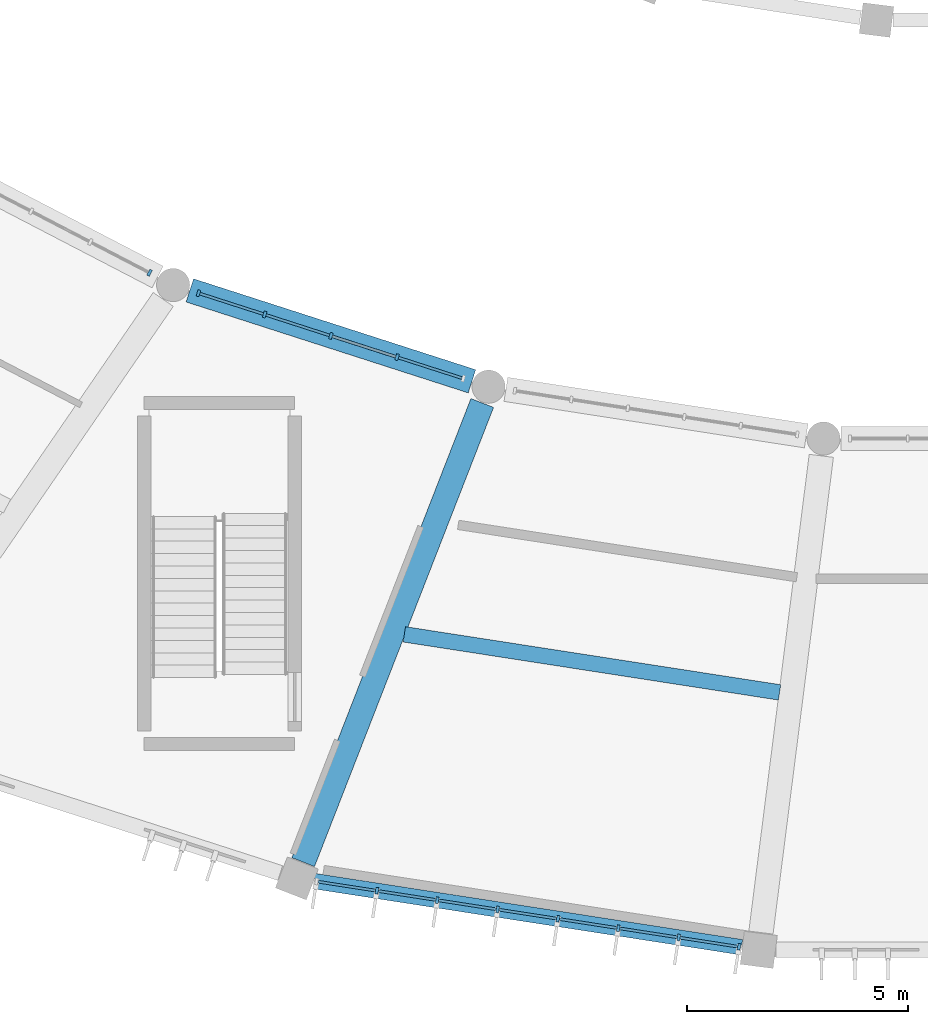
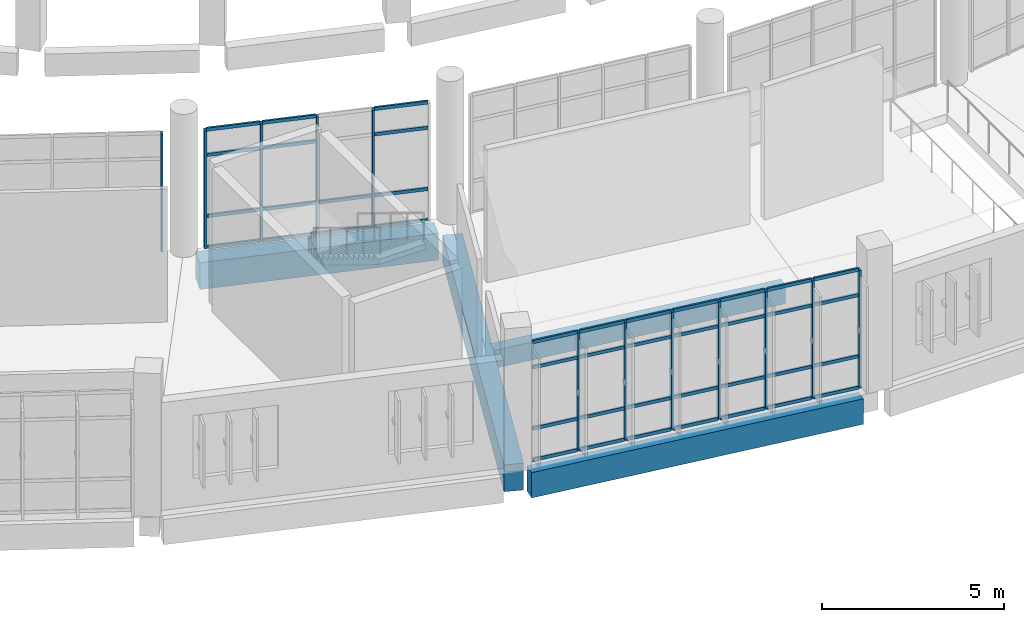
# One storey, part 13 of 179: 54 members, 4 beams, 3 elements without a shape of their own.
"""IFC4 building model written with IfcOpenShell, lengths in metres."""

from ifc_helpers import new_model, si_unit, direction, frame, origin, origin_2d, place, context, subcontext, project, spatial, rectangle, extrude, material, layer, layer_set, material_profile, profile_set, type_object, element, aggregate, save


model = new_model("IFC4")

# Units and contexts
model_context = context("Model", 3, precision=1e-05, world=origin(), true_north=direction((0.0, 1.0)))
body_context = subcontext(model_context, "Body", "Model", "MODEL_VIEW")
ifc_project = project(units=[si_unit("LENGTHUNIT", "METRE"), si_unit("AREAUNIT", "SQUARE_METRE"), si_unit("VOLUMEUNIT", "CUBIC_METRE"), si_unit("PLANEANGLEUNIT", "RADIAN"), si_unit("MASSUNIT", "GRAM", prefix="KILO")], contexts=[model_context])

# Site, building, storey
site_placement = place(None, origin())
site = spatial("IfcSite", under=ifc_project, at=site_placement, CompositionType="ELEMENT")
building_placement = place(site_placement, origin())
building = spatial("IfcBuilding", under=site, at=building_placement, Name="Corvandel Quay Wholesale Market", CompositionType="ELEMENT")
storey_placement = place(building_placement, frame((0.0, 0.0, 6.0)))
storey = spatial("IfcBuildingStorey", under=building, at=storey_placement, Name="L01", CompositionType="ELEMENT", Elevation=6.0)

# Curtain wall, member
ifc_material_1 = material(Name="Bronze anodised aluminium and low-E insulated glazing", Category="aluminium")
ifc_layer_1 = layer(ifc_material_1, 0.162109375)
ifc_layer_set_1 = layer_set([ifc_layer_1], Name="Bronze anodised aluminium and low-E insulated glazing")
curtain_wall_type_1 = type_object("IfcCurtainWallType", Name="Stick Curtain Wall System CW11 H3990", PredefinedType="NOTDEFINED", material=ifc_layer_set_1)
curtain_wall_1_placement = place(storey_placement, origin())
curtain_wall_1 = element("IfcCurtainWall", 1, at=curtain_wall_1_placement, inside=storey, type_object=curtain_wall_type_1, Name="Curtain Wall CW-0061", PredefinedType="NOTDEFINED")
ifc_material_2 = material(Name="Anodised aluminium 6063-T6", Category="aluminium")
ifc_material_profile_1 = material_profile(ifc_material_2, rectangle(XDim=0.06494140625, YDim=0.14990234375, at=origin_2d()), Name="ALU-MUL-65x150")
ifc_profile_set_1 = profile_set([ifc_material_profile_1], Name="Anodised aluminium 6063-T6")
member_type_1 = type_object("IfcMemberType", Name="Curtain Wall Mullion ML02 65x150", PredefinedType="MULLION", material=ifc_profile_set_1)
member_1_placement = place(storey_placement, frame((94.923583984375, 15.29248046875, 0.0), z_axis=(0.0, 0.0, 1.0), x_axis=(-0.887332978338, 0.461129250378, 0.0)))
member_1 = element("IfcMember", 2, at=member_1_placement, type_object=member_type_1, Name="Mullion CW-0061-M04", PredefinedType="MULLION", context=body_context, shape_type="SweptSolid", body=[
    extrude(rectangle(XDim=0.06494140625, YDim=0.14990234375, at=origin_2d()), origin(), (0.0, 0.0, 1.0), 3.949951171875),
])
aggregate(curtain_wall_1, [member_1])

# Curtain wall, members
ifc_layer_2 = layer(ifc_material_1, 0.174072265625)
ifc_layer_set_2 = layer_set([ifc_layer_2], Name="Bronze anodised aluminium and low-E insulated glazing")
curtain_wall_type_2 = type_object("IfcCurtainWallType", Name="Stick Curtain Wall System CW12 H4080", PredefinedType="NOTDEFINED", material=ifc_layer_set_2)
curtain_wall_2_placement = place(storey_placement, origin())
curtain_wall_2 = element("IfcCurtainWall", 3, at=curtain_wall_2_placement, inside=storey, type_object=curtain_wall_type_2, Name="Curtain Wall CW-0064", PredefinedType="NOTDEFINED")
member_2_placement = place(storey_placement, frame((96.027099609375, 14.83203125, 0.0), z_axis=(0.0, 0.0, 1.0), x_axis=(-0.951808747363, 0.306692204733, 0.0)))
member_2 = element("IfcMember", 4, at=member_2_placement, type_object=member_type_1, Name="Mullion CW-0064-M00", PredefinedType="MULLION", context=body_context, shape_type="SweptSolid", body=[
    extrude(rectangle(XDim=0.06494140625, YDim=0.14990234375, at=origin_2d()), origin(), (0.0, 0.0, 1.0), 3.949951171875),
])
member_3_placement = place(storey_placement, frame((97.5224609375, 14.35009765625, 0.0), z_axis=(0.0, 0.0, 1.0), x_axis=(-0.951808747363, 0.306692204733, 0.0)))
member_3 = element("IfcMember", 5, at=member_3_placement, type_object=member_type_1, Name="Mullion CW-0064-M01", PredefinedType="MULLION", context=body_context, shape_type="SweptSolid", body=[
    extrude(rectangle(XDim=0.06494140625, YDim=0.14990234375, at=origin_2d()), origin(), (0.0, 0.0, 1.0), 3.949951171875),
])
member_4_placement = place(storey_placement, frame((99.01806640625, 13.867919921875, 0.0), z_axis=(0.0, 0.0, 1.0), x_axis=(-0.951808747363, 0.306692204733, 0.0)))
member_4 = element("IfcMember", 6, at=member_4_placement, type_object=member_type_1, Name="Mullion CW-0064-M02", PredefinedType="MULLION", context=body_context, shape_type="SweptSolid", body=[
    extrude(rectangle(XDim=0.06494140625, YDim=0.14990234375, at=origin_2d()), origin(), (0.0, 0.0, 1.0), 3.949951171875),
])
member_5_placement = place(storey_placement, frame((100.513427734375, 13.385986328125, 0.0), z_axis=(0.0, 0.0, 1.0), x_axis=(-0.951808747363, 0.306692204733, 0.0)))
member_5 = element("IfcMember", 7, at=member_5_placement, type_object=member_type_1, Name="Mullion CW-0064-M03", PredefinedType="MULLION", context=body_context, shape_type="SweptSolid", body=[
    extrude(rectangle(XDim=0.06494140625, YDim=0.14990234375, at=origin_2d()), origin(), (0.0, 0.0, 1.0), 3.949951171875),
])

ifc_layer_3 = layer(ifc_material_1, 0.174072265625)
ifc_layer_set_3 = layer_set([ifc_layer_3], Name="Bronze anodised aluminium and low-E insulated glazing")
curtain_wall_type_3 = type_object("IfcCurtainWallType", Name="Stick Curtain Wall System CW27 H5430", PredefinedType="NOTDEFINED", material=ifc_layer_set_3)
curtain_wall_3_placement = place(storey_placement, origin())
curtain_wall_3 = element("IfcCurtainWall", 8, at=curtain_wall_3_placement, inside=storey, type_object=curtain_wall_type_3, Name="Curtain Wall CW-0066", PredefinedType="NOTDEFINED")
member_6_placement = place(storey_placement, frame((100.056884765625, 1.334228515625, 0.0), z_axis=(0.0, 0.0, 1.0), x_axis=(-0.98825506746, 0.152813355565, 0.0)))
member_6 = element("IfcMember", 9, at=member_6_placement, type_object=member_type_1, Name="Mullion CW-0066-M01", PredefinedType="MULLION", context=body_context, shape_type="SweptSolid", body=[
    extrude(rectangle(XDim=0.06494140625, YDim=0.14990234375, at=origin_2d()), origin(), (0.0, 0.0, 1.0), 3.949951171875),
])
member_7_placement = place(storey_placement, frame((101.420166015625, 1.123291015625, 0.0), z_axis=(0.0, 0.0, 1.0), x_axis=(-0.98825506746, 0.152813355565, 0.0)))
member_7 = element("IfcMember", 10, at=member_7_placement, type_object=member_type_1, Name="Mullion CW-0066-M02", PredefinedType="MULLION", context=body_context, shape_type="SweptSolid", body=[
    extrude(rectangle(XDim=0.06494140625, YDim=0.14990234375, at=origin_2d()), origin(), (0.0, 0.0, 1.0), 3.949951171875),
])
member_8_placement = place(storey_placement, frame((102.783447265625, 0.91259765625, 0.0), z_axis=(0.0, 0.0, 1.0), x_axis=(-0.98825506746, 0.152813355565, 0.0)))
member_8 = element("IfcMember", 11, at=member_8_placement, type_object=member_type_1, Name="Mullion CW-0066-M03", PredefinedType="MULLION", context=body_context, shape_type="SweptSolid", body=[
    extrude(rectangle(XDim=0.06494140625, YDim=0.14990234375, at=origin_2d()), origin(), (0.0, 0.0, 1.0), 3.949951171875),
])
member_9_placement = place(storey_placement, frame((104.146484375, 0.701416015625, 0.0), z_axis=(0.0, 0.0, 1.0), x_axis=(-0.98825506746, 0.152813355565, 0.0)))
member_9 = element("IfcMember", 12, at=member_9_placement, type_object=member_type_1, Name="Mullion CW-0066-M04", PredefinedType="MULLION", context=body_context, shape_type="SweptSolid", body=[
    extrude(rectangle(XDim=0.06494140625, YDim=0.14990234375, at=origin_2d()), origin(), (0.0, 0.0, 1.0), 3.949951171875),
])
member_10_placement = place(storey_placement, frame((105.509765625, 0.490478515625, 0.0), z_axis=(0.0, 0.0, 1.0), x_axis=(-0.98825506746, 0.152813355565, 0.0)))
member_10 = element("IfcMember", 13, at=member_10_placement, type_object=member_type_1, Name="Mullion CW-0066-M05", PredefinedType="MULLION", context=body_context, shape_type="SweptSolid", body=[
    extrude(rectangle(XDim=0.06494140625, YDim=0.14990234375, at=origin_2d()), origin(), (0.0, 0.0, 1.0), 3.949951171875),
])
member_11_placement = place(storey_placement, frame((106.873046875, 0.27978515625, 0.0), z_axis=(0.0, 0.0, 1.0), x_axis=(-0.98825506746, 0.152813355565, 0.0)))
member_11 = element("IfcMember", 14, at=member_11_placement, type_object=member_type_1, Name="Mullion CW-0066-M06", PredefinedType="MULLION", context=body_context, shape_type="SweptSolid", body=[
    extrude(rectangle(XDim=0.06494140625, YDim=0.14990234375, at=origin_2d()), origin(), (0.0, 0.0, 1.0), 3.949951171875),
])
member_12_placement = place(storey_placement, frame((108.236328125, 0.06884765625, 0.0), z_axis=(0.0, 0.0, 1.0), x_axis=(-0.98825506746, 0.152813355565, 0.0)))
member_12 = element("IfcMember", 15, at=member_12_placement, type_object=member_type_1, Name="Mullion CW-0066-M07", PredefinedType="MULLION", context=body_context, shape_type="SweptSolid", body=[
    extrude(rectangle(XDim=0.06494140625, YDim=0.14990234375, at=origin_2d()), origin(), (0.0, 0.0, 1.0), 3.949951171875),
])

# Member
ifc_material_profile_2 = material_profile(ifc_material_2, rectangle(XDim=0.06005859375, YDim=0.110107421875, at=origin_2d()), Name="ALU-TRN-60x110")
ifc_profile_set_2 = profile_set([ifc_material_profile_2], Name="Anodised aluminium 6063-T6")
member_type_2 = type_object("IfcMemberType", Name="Curtain Wall Transom TR02 60x110", PredefinedType="USERDEFINED", material=ifc_profile_set_2)
member_13_placement = place(storey_placement, frame((96.05810546875, 14.822021484375, 0.0), z_axis=(0.951812449712, -0.306680714383, 0.0), x_axis=(0.306680714383, 0.951812449712, 0.0)))
member_13 = element("IfcMember", 16, at=member_13_placement, type_object=member_type_2, Name="Transom CW-0064-T00-0", ObjectType="TRANSOM", PredefinedType="USERDEFINED", context=body_context, shape_type="SweptSolid", body=[
    extrude(rectangle(XDim=0.06005859375, YDim=0.110107421875, at=origin_2d()), origin(), (0.0, 0.0, 1.0), 1.506103515625),
])

member_14_placement = place(storey_placement, frame((96.05810546875, 14.822021484375, 1.050048828125), z_axis=(0.951812449712, -0.306680714383, 0.0), x_axis=(0.306680714383, 0.951812449712, 0.0)))
member_14 = element("IfcMember", 17, at=member_14_placement, type_object=member_type_2, Name="Transom CW-0064-T00-1", ObjectType="TRANSOM", PredefinedType="USERDEFINED", context=body_context, shape_type="SweptSolid", body=[
    extrude(rectangle(XDim=0.06005859375, YDim=0.110107421875, at=origin_2d()), origin(), (0.0, 0.0, 1.0), 1.506103515625),
])

member_15_placement = place(storey_placement, frame((96.05810546875, 14.822021484375, 3.10009765625), z_axis=(0.951812449712, -0.306680714383, 0.0), x_axis=(0.306680714383, 0.951812449712, 0.0)))
member_15 = element("IfcMember", 18, at=member_15_placement, type_object=member_type_2, Name="Transom CW-0064-T00-2", ObjectType="TRANSOM", PredefinedType="USERDEFINED", context=body_context, shape_type="SweptSolid", body=[
    extrude(rectangle(XDim=0.06005859375, YDim=0.110107421875, at=origin_2d()), origin(), (0.0, 0.0, 1.0), 1.506103515625),
])

member_16_placement = place(storey_placement, frame((96.05810546875, 14.822021484375, 3.949951171875), z_axis=(0.951812449712, -0.306680714383, 0.0), x_axis=(0.306680714383, 0.951812449712, 0.0)))
member_16 = element("IfcMember", 19, at=member_16_placement, type_object=member_type_2, Name="Transom CW-0064-T00-3", ObjectType="TRANSOM", PredefinedType="USERDEFINED", context=body_context, shape_type="SweptSolid", body=[
    extrude(rectangle(XDim=0.06005859375, YDim=0.110107421875, at=origin_2d()), origin(), (0.0, 0.0, 1.0), 1.506103515625),
])

member_17_placement = place(storey_placement, frame((97.553466796875, 14.340087890625, 0.0), z_axis=(0.951765125265, -0.306827551452, 0.0), x_axis=(0.306827551452, 0.951765125265, 0.0)))
member_17 = element("IfcMember", 20, at=member_17_placement, type_object=member_type_2, Name="Transom CW-0064-T01-0", ObjectType="TRANSOM", PredefinedType="USERDEFINED", context=body_context, shape_type="SweptSolid", body=[
    extrude(rectangle(XDim=0.06005859375, YDim=0.110107421875, at=origin_2d()), origin(), (0.0, 0.0, 1.0), 1.50634765625),
])

member_18_placement = place(storey_placement, frame((97.553466796875, 14.340087890625, 1.050048828125), z_axis=(0.951765125265, -0.306827551452, 0.0), x_axis=(0.306827551452, 0.951765125265, 0.0)))
member_18 = element("IfcMember", 21, at=member_18_placement, type_object=member_type_2, Name="Transom CW-0064-T01-1", ObjectType="TRANSOM", PredefinedType="USERDEFINED", context=body_context, shape_type="SweptSolid", body=[
    extrude(rectangle(XDim=0.06005859375, YDim=0.110107421875, at=origin_2d()), origin(), (0.0, 0.0, 1.0), 1.50634765625),
])

member_19_placement = place(storey_placement, frame((97.553466796875, 14.340087890625, 3.10009765625), z_axis=(0.951765125265, -0.306827551452, 0.0), x_axis=(0.306827551452, 0.951765125265, 0.0)))
member_19 = element("IfcMember", 22, at=member_19_placement, type_object=member_type_2, Name="Transom CW-0064-T01-2", ObjectType="TRANSOM", PredefinedType="USERDEFINED", context=body_context, shape_type="SweptSolid", body=[
    extrude(rectangle(XDim=0.06005859375, YDim=0.110107421875, at=origin_2d()), origin(), (0.0, 0.0, 1.0), 1.50634765625),
])

member_20_placement = place(storey_placement, frame((97.553466796875, 14.340087890625, 3.949951171875), z_axis=(0.951765125265, -0.306827551452, 0.0), x_axis=(0.306827551452, 0.951765125265, 0.0)))
member_20 = element("IfcMember", 23, at=member_20_placement, type_object=member_type_2, Name="Transom CW-0064-T01-3", ObjectType="TRANSOM", PredefinedType="USERDEFINED", context=body_context, shape_type="SweptSolid", body=[
    extrude(rectangle(XDim=0.06005859375, YDim=0.110107421875, at=origin_2d()), origin(), (0.0, 0.0, 1.0), 1.50634765625),
])

member_21_placement = place(storey_placement, frame((99.048828125, 13.85791015625, 0.0), z_axis=(0.951812449712, -0.306680714383, 0.0), x_axis=(0.306680714383, 0.951812449712, 0.0)))
member_21 = element("IfcMember", 24, at=member_21_placement, type_object=member_type_2, Name="Transom CW-0064-T02-0", ObjectType="TRANSOM", PredefinedType="USERDEFINED", context=body_context, shape_type="SweptSolid", body=[
    extrude(rectangle(XDim=0.06005859375, YDim=0.110107421875, at=origin_2d()), origin(), (0.0, 0.0, 1.0), 1.506103515625),
])

member_22_placement = place(storey_placement, frame((99.048828125, 13.85791015625, 1.050048828125), z_axis=(0.951812449712, -0.306680714383, 0.0), x_axis=(0.306680714383, 0.951812449712, 0.0)))
member_22 = element("IfcMember", 25, at=member_22_placement, type_object=member_type_2, Name="Transom CW-0064-T02-1", ObjectType="TRANSOM", PredefinedType="USERDEFINED", context=body_context, shape_type="SweptSolid", body=[
    extrude(rectangle(XDim=0.06005859375, YDim=0.110107421875, at=origin_2d()), origin(), (0.0, 0.0, 1.0), 1.506103515625),
])

member_23_placement = place(storey_placement, frame((100.54443359375, 13.3759765625, 0.0), z_axis=(0.951812449712, -0.306680714383, 0.0), x_axis=(0.306680714383, 0.951812449712, 0.0)))
member_23 = element("IfcMember", 26, at=member_23_placement, type_object=member_type_2, Name="Transom CW-0064-T03-0", ObjectType="TRANSOM", PredefinedType="USERDEFINED", context=body_context, shape_type="SweptSolid", body=[
    extrude(rectangle(XDim=0.06005859375, YDim=0.110107421875, at=origin_2d()), origin(), (0.0, 0.0, 1.0), 1.506103515625),
])

member_24_placement = place(storey_placement, frame((100.54443359375, 13.3759765625, 1.050048828125), z_axis=(0.951812449712, -0.306680714383, 0.0), x_axis=(0.306680714383, 0.951812449712, 0.0)))
member_24 = element("IfcMember", 27, at=member_24_placement, type_object=member_type_2, Name="Transom CW-0064-T03-1", ObjectType="TRANSOM", PredefinedType="USERDEFINED", context=body_context, shape_type="SweptSolid", body=[
    extrude(rectangle(XDim=0.06005859375, YDim=0.110107421875, at=origin_2d()), origin(), (0.0, 0.0, 1.0), 1.506103515625),
])

member_25_placement = place(storey_placement, frame((100.54443359375, 13.3759765625, 3.10009765625), z_axis=(0.951812449712, -0.306680714383, 0.0), x_axis=(0.306680714383, 0.951812449712, 0.0)))
member_25 = element("IfcMember", 28, at=member_25_placement, type_object=member_type_2, Name="Transom CW-0064-T03-2", ObjectType="TRANSOM", PredefinedType="USERDEFINED", context=body_context, shape_type="SweptSolid", body=[
    extrude(rectangle(XDim=0.06005859375, YDim=0.110107421875, at=origin_2d()), origin(), (0.0, 0.0, 1.0), 1.506103515625),
])

member_26_placement = place(storey_placement, frame((100.54443359375, 13.3759765625, 3.949951171875), z_axis=(0.951812449712, -0.306680714383, 0.0), x_axis=(0.306680714383, 0.951812449712, 0.0)))
member_26 = element("IfcMember", 29, at=member_26_placement, type_object=member_type_2, Name="Transom CW-0064-T03-3", ObjectType="TRANSOM", PredefinedType="USERDEFINED", context=body_context, shape_type="SweptSolid", body=[
    extrude(rectangle(XDim=0.06005859375, YDim=0.110107421875, at=origin_2d()), origin(), (0.0, 0.0, 1.0), 1.506103515625),
])

aggregate(curtain_wall_2, [member_2, member_3, member_4, member_5, member_13, member_14, member_15, member_16, member_17, member_18, member_19, member_20, member_21, member_22, member_23, member_24, member_25, member_26])

member_27_placement = place(storey_placement, frame((98.725830078125, 1.540283203125, 0.0), z_axis=(0.988248991474, -0.152852644237, 0.0), x_axis=(0.152852644237, 0.988248991474, 0.0)))
member_27 = element("IfcMember", 30, at=member_27_placement, type_object=member_type_2, Name="Transom CW-0066-T00-0", ObjectType="TRANSOM", PredefinedType="USERDEFINED", context=body_context, shape_type="SweptSolid", body=[
    extrude(rectangle(XDim=0.06005859375, YDim=0.110107421875, at=origin_2d()), origin(), (0.0, 0.0, 1.0), 1.314453125),
])

member_28_placement = place(storey_placement, frame((98.725830078125, 1.540283203125, 1.050048828125), z_axis=(0.988248991474, -0.152852644237, 0.0), x_axis=(0.152852644237, 0.988248991474, 0.0)))
member_28 = element("IfcMember", 31, at=member_28_placement, type_object=member_type_2, Name="Transom CW-0066-T00-1", ObjectType="TRANSOM", PredefinedType="USERDEFINED", context=body_context, shape_type="SweptSolid", body=[
    extrude(rectangle(XDim=0.06005859375, YDim=0.110107421875, at=origin_2d()), origin(), (0.0, 0.0, 1.0), 1.314453125),
])

member_29_placement = place(storey_placement, frame((98.725830078125, 1.540283203125, 3.10009765625), z_axis=(0.988248991474, -0.152852644237, 0.0), x_axis=(0.152852644237, 0.988248991474, 0.0)))
member_29 = element("IfcMember", 32, at=member_29_placement, type_object=member_type_2, Name="Transom CW-0066-T00-2", ObjectType="TRANSOM", PredefinedType="USERDEFINED", context=body_context, shape_type="SweptSolid", body=[
    extrude(rectangle(XDim=0.06005859375, YDim=0.110107421875, at=origin_2d()), origin(), (0.0, 0.0, 1.0), 1.314453125),
])

member_30_placement = place(storey_placement, frame((98.725830078125, 1.540283203125, 3.949951171875), z_axis=(0.988248991474, -0.152852644237, 0.0), x_axis=(0.152852644237, 0.988248991474, 0.0)))
member_30 = element("IfcMember", 33, at=member_30_placement, type_object=member_type_2, Name="Transom CW-0066-T00-3", ObjectType="TRANSOM", PredefinedType="USERDEFINED", context=body_context, shape_type="SweptSolid", body=[
    extrude(rectangle(XDim=0.06005859375, YDim=0.110107421875, at=origin_2d()), origin(), (0.0, 0.0, 1.0), 1.314453125),
])

member_31_placement = place(storey_placement, frame((100.089111328125, 1.329345703125, 0.0), z_axis=(0.988244650986, -0.152880704466, 0.0), x_axis=(0.152880704466, 0.988244650986, 0.0)))
member_31 = element("IfcMember", 34, at=member_31_placement, type_object=member_type_2, Name="Transom CW-0066-T01-0", ObjectType="TRANSOM", PredefinedType="USERDEFINED", context=body_context, shape_type="SweptSolid", body=[
    extrude(rectangle(XDim=0.06005859375, YDim=0.110107421875, at=origin_2d()), origin(), (0.0, 0.0, 1.0), 1.314208984375),
])

member_32_placement = place(storey_placement, frame((100.089111328125, 1.329345703125, 1.050048828125), z_axis=(0.988244650986, -0.152880704466, 0.0), x_axis=(0.152880704466, 0.988244650986, 0.0)))
member_32 = element("IfcMember", 35, at=member_32_placement, type_object=member_type_2, Name="Transom CW-0066-T01-1", ObjectType="TRANSOM", PredefinedType="USERDEFINED", context=body_context, shape_type="SweptSolid", body=[
    extrude(rectangle(XDim=0.06005859375, YDim=0.110107421875, at=origin_2d()), origin(), (0.0, 0.0, 1.0), 1.314208984375),
])

member_33_placement = place(storey_placement, frame((100.089111328125, 1.329345703125, 3.10009765625), z_axis=(0.988244650986, -0.152880704466, 0.0), x_axis=(0.152880704466, 0.988244650986, 0.0)))
member_33 = element("IfcMember", 36, at=member_33_placement, type_object=member_type_2, Name="Transom CW-0066-T01-2", ObjectType="TRANSOM", PredefinedType="USERDEFINED", context=body_context, shape_type="SweptSolid", body=[
    extrude(rectangle(XDim=0.06005859375, YDim=0.110107421875, at=origin_2d()), origin(), (0.0, 0.0, 1.0), 1.314208984375),
])

member_34_placement = place(storey_placement, frame((100.089111328125, 1.329345703125, 3.949951171875), z_axis=(0.988244650986, -0.152880704466, 0.0), x_axis=(0.152880704466, 0.988244650986, 0.0)))
member_34 = element("IfcMember", 37, at=member_34_placement, type_object=member_type_2, Name="Transom CW-0066-T01-3", ObjectType="TRANSOM", PredefinedType="USERDEFINED", context=body_context, shape_type="SweptSolid", body=[
    extrude(rectangle(XDim=0.06005859375, YDim=0.110107421875, at=origin_2d()), origin(), (0.0, 0.0, 1.0), 1.314208984375),
])

member_35_placement = place(storey_placement, frame((101.452392578125, 1.118408203125, 0.0), z_axis=(0.988244650986, -0.152880704466, 0.0), x_axis=(0.152880704466, 0.988244650986, 0.0)))
member_35 = element("IfcMember", 38, at=member_35_placement, type_object=member_type_2, Name="Transom CW-0066-T02-0", ObjectType="TRANSOM", PredefinedType="USERDEFINED", context=body_context, shape_type="SweptSolid", body=[
    extrude(rectangle(XDim=0.06005859375, YDim=0.110107421875, at=origin_2d()), origin(), (0.0, 0.0, 1.0), 1.314208984375),
])

member_36_placement = place(storey_placement, frame((101.452392578125, 1.118408203125, 1.050048828125), z_axis=(0.988244650986, -0.152880704466, 0.0), x_axis=(0.152880704466, 0.988244650986, 0.0)))
member_36 = element("IfcMember", 39, at=member_36_placement, type_object=member_type_2, Name="Transom CW-0066-T02-1", ObjectType="TRANSOM", PredefinedType="USERDEFINED", context=body_context, shape_type="SweptSolid", body=[
    extrude(rectangle(XDim=0.06005859375, YDim=0.110107421875, at=origin_2d()), origin(), (0.0, 0.0, 1.0), 1.314208984375),
])

member_37_placement = place(storey_placement, frame((101.452392578125, 1.118408203125, 3.10009765625), z_axis=(0.988244650986, -0.152880704466, 0.0), x_axis=(0.152880704466, 0.988244650986, 0.0)))
member_37 = element("IfcMember", 40, at=member_37_placement, type_object=member_type_2, Name="Transom CW-0066-T02-2", ObjectType="TRANSOM", PredefinedType="USERDEFINED", context=body_context, shape_type="SweptSolid", body=[
    extrude(rectangle(XDim=0.06005859375, YDim=0.110107421875, at=origin_2d()), origin(), (0.0, 0.0, 1.0), 1.314208984375),
])

member_38_placement = place(storey_placement, frame((101.452392578125, 1.118408203125, 3.949951171875), z_axis=(0.988244650986, -0.152880704466, 0.0), x_axis=(0.152880704466, 0.988244650986, 0.0)))
member_38 = element("IfcMember", 41, at=member_38_placement, type_object=member_type_2, Name="Transom CW-0066-T02-3", ObjectType="TRANSOM", PredefinedType="USERDEFINED", context=body_context, shape_type="SweptSolid", body=[
    extrude(rectangle(XDim=0.06005859375, YDim=0.110107421875, at=origin_2d()), origin(), (0.0, 0.0, 1.0), 1.314208984375),
])

member_39_placement = place(storey_placement, frame((102.8154296875, 0.907470703125, 0.0), z_axis=(0.988248991474, -0.152852644237, 0.0), x_axis=(0.152852644237, 0.988248991474, 0.0)))
member_39 = element("IfcMember", 42, at=member_39_placement, type_object=member_type_2, Name="Transom CW-0066-T03-0", ObjectType="TRANSOM", PredefinedType="USERDEFINED", context=body_context, shape_type="SweptSolid", body=[
    extrude(rectangle(XDim=0.06005859375, YDim=0.110107421875, at=origin_2d()), origin(), (0.0, 0.0, 1.0), 1.314453125),
])

member_40_placement = place(storey_placement, frame((102.8154296875, 0.907470703125, 1.050048828125), z_axis=(0.988248991474, -0.152852644237, 0.0), x_axis=(0.152852644237, 0.988248991474, 0.0)))
member_40 = element("IfcMember", 43, at=member_40_placement, type_object=member_type_2, Name="Transom CW-0066-T03-1", ObjectType="TRANSOM", PredefinedType="USERDEFINED", context=body_context, shape_type="SweptSolid", body=[
    extrude(rectangle(XDim=0.06005859375, YDim=0.110107421875, at=origin_2d()), origin(), (0.0, 0.0, 1.0), 1.314453125),
])

member_41_placement = place(storey_placement, frame((102.8154296875, 0.907470703125, 3.10009765625), z_axis=(0.988248991474, -0.152852644237, 0.0), x_axis=(0.152852644237, 0.988248991474, 0.0)))
member_41 = element("IfcMember", 44, at=member_41_placement, type_object=member_type_2, Name="Transom CW-0066-T03-2", ObjectType="TRANSOM", PredefinedType="USERDEFINED", context=body_context, shape_type="SweptSolid", body=[
    extrude(rectangle(XDim=0.06005859375, YDim=0.110107421875, at=origin_2d()), origin(), (0.0, 0.0, 1.0), 1.314453125),
])

member_42_placement = place(storey_placement, frame((102.8154296875, 0.907470703125, 3.949951171875), z_axis=(0.988248991474, -0.152852644237, 0.0), x_axis=(0.152852644237, 0.988248991474, 0.0)))
member_42 = element("IfcMember", 45, at=member_42_placement, type_object=member_type_2, Name="Transom CW-0066-T03-3", ObjectType="TRANSOM", PredefinedType="USERDEFINED", context=body_context, shape_type="SweptSolid", body=[
    extrude(rectangle(XDim=0.06005859375, YDim=0.110107421875, at=origin_2d()), origin(), (0.0, 0.0, 1.0), 1.314453125),
])

member_43_placement = place(storey_placement, frame((104.1787109375, 0.696533203125, 0.0), z_axis=(0.988248991474, -0.152852644237, 0.0), x_axis=(0.152852644237, 0.988248991474, 0.0)))
member_43 = element("IfcMember", 46, at=member_43_placement, type_object=member_type_2, Name="Transom CW-0066-T04-0", ObjectType="TRANSOM", PredefinedType="USERDEFINED", context=body_context, shape_type="SweptSolid", body=[
    extrude(rectangle(XDim=0.06005859375, YDim=0.110107421875, at=origin_2d()), origin(), (0.0, 0.0, 1.0), 1.314453125),
])

member_44_placement = place(storey_placement, frame((104.1787109375, 0.696533203125, 1.050048828125), z_axis=(0.988248991474, -0.152852644237, 0.0), x_axis=(0.152852644237, 0.988248991474, 0.0)))
member_44 = element("IfcMember", 47, at=member_44_placement, type_object=member_type_2, Name="Transom CW-0066-T04-1", ObjectType="TRANSOM", PredefinedType="USERDEFINED", context=body_context, shape_type="SweptSolid", body=[
    extrude(rectangle(XDim=0.06005859375, YDim=0.110107421875, at=origin_2d()), origin(), (0.0, 0.0, 1.0), 1.314453125),
])

member_45_placement = place(storey_placement, frame((104.1787109375, 0.696533203125, 3.10009765625), z_axis=(0.988248991474, -0.152852644237, 0.0), x_axis=(0.152852644237, 0.988248991474, 0.0)))
member_45 = element("IfcMember", 48, at=member_45_placement, type_object=member_type_2, Name="Transom CW-0066-T04-2", ObjectType="TRANSOM", PredefinedType="USERDEFINED", context=body_context, shape_type="SweptSolid", body=[
    extrude(rectangle(XDim=0.06005859375, YDim=0.110107421875, at=origin_2d()), origin(), (0.0, 0.0, 1.0), 1.314453125),
])

member_46_placement = place(storey_placement, frame((104.1787109375, 0.696533203125, 3.949951171875), z_axis=(0.988248991474, -0.152852644237, 0.0), x_axis=(0.152852644237, 0.988248991474, 0.0)))
member_46 = element("IfcMember", 49, at=member_46_placement, type_object=member_type_2, Name="Transom CW-0066-T04-3", ObjectType="TRANSOM", PredefinedType="USERDEFINED", context=body_context, shape_type="SweptSolid", body=[
    extrude(rectangle(XDim=0.06005859375, YDim=0.110107421875, at=origin_2d()), origin(), (0.0, 0.0, 1.0), 1.314453125),
])

member_47_placement = place(storey_placement, frame((105.5419921875, 0.485595703125, 0.0), z_axis=(0.988248991474, -0.152852644237, 0.0), x_axis=(0.152852644237, 0.988248991474, 0.0)))
member_47 = element("IfcMember", 50, at=member_47_placement, type_object=member_type_2, Name="Transom CW-0066-T05-0", ObjectType="TRANSOM", PredefinedType="USERDEFINED", context=body_context, shape_type="SweptSolid", body=[
    extrude(rectangle(XDim=0.06005859375, YDim=0.110107421875, at=origin_2d()), origin(), (0.0, 0.0, 1.0), 1.314453125),
])

member_48_placement = place(storey_placement, frame((105.5419921875, 0.485595703125, 1.050048828125), z_axis=(0.988248991474, -0.152852644237, 0.0), x_axis=(0.152852644237, 0.988248991474, 0.0)))
member_48 = element("IfcMember", 51, at=member_48_placement, type_object=member_type_2, Name="Transom CW-0066-T05-1", ObjectType="TRANSOM", PredefinedType="USERDEFINED", context=body_context, shape_type="SweptSolid", body=[
    extrude(rectangle(XDim=0.06005859375, YDim=0.110107421875, at=origin_2d()), origin(), (0.0, 0.0, 1.0), 1.314453125),
])

member_49_placement = place(storey_placement, frame((105.5419921875, 0.485595703125, 3.10009765625), z_axis=(0.988248991474, -0.152852644237, 0.0), x_axis=(0.152852644237, 0.988248991474, 0.0)))
member_49 = element("IfcMember", 52, at=member_49_placement, type_object=member_type_2, Name="Transom CW-0066-T05-2", ObjectType="TRANSOM", PredefinedType="USERDEFINED", context=body_context, shape_type="SweptSolid", body=[
    extrude(rectangle(XDim=0.06005859375, YDim=0.110107421875, at=origin_2d()), origin(), (0.0, 0.0, 1.0), 1.314453125),
])

member_50_placement = place(storey_placement, frame((105.5419921875, 0.485595703125, 3.949951171875), z_axis=(0.988248991474, -0.152852644237, 0.0), x_axis=(0.152852644237, 0.988248991474, 0.0)))
member_50 = element("IfcMember", 53, at=member_50_placement, type_object=member_type_2, Name="Transom CW-0066-T05-3", ObjectType="TRANSOM", PredefinedType="USERDEFINED", context=body_context, shape_type="SweptSolid", body=[
    extrude(rectangle(XDim=0.06005859375, YDim=0.110107421875, at=origin_2d()), origin(), (0.0, 0.0, 1.0), 1.314453125),
])

member_51_placement = place(storey_placement, frame((106.9052734375, 0.274658203125, 0.0), z_axis=(0.988244650986, -0.152880704466, 0.0), x_axis=(0.152880704466, 0.988244650986, 0.0)))
member_51 = element("IfcMember", 54, at=member_51_placement, type_object=member_type_2, Name="Transom CW-0066-T06-0", ObjectType="TRANSOM", PredefinedType="USERDEFINED", context=body_context, shape_type="SweptSolid", body=[
    extrude(rectangle(XDim=0.06005859375, YDim=0.110107421875, at=origin_2d()), origin(), (0.0, 0.0, 1.0), 1.314208984375),
])

member_52_placement = place(storey_placement, frame((106.9052734375, 0.274658203125, 1.050048828125), z_axis=(0.988244650986, -0.152880704466, 0.0), x_axis=(0.152880704466, 0.988244650986, 0.0)))
member_52 = element("IfcMember", 55, at=member_52_placement, type_object=member_type_2, Name="Transom CW-0066-T06-1", ObjectType="TRANSOM", PredefinedType="USERDEFINED", context=body_context, shape_type="SweptSolid", body=[
    extrude(rectangle(XDim=0.06005859375, YDim=0.110107421875, at=origin_2d()), origin(), (0.0, 0.0, 1.0), 1.314208984375),
])

member_53_placement = place(storey_placement, frame((106.9052734375, 0.274658203125, 3.10009765625), z_axis=(0.988244650986, -0.152880704466, 0.0), x_axis=(0.152880704466, 0.988244650986, 0.0)))
member_53 = element("IfcMember", 56, at=member_53_placement, type_object=member_type_2, Name="Transom CW-0066-T06-2", ObjectType="TRANSOM", PredefinedType="USERDEFINED", context=body_context, shape_type="SweptSolid", body=[
    extrude(rectangle(XDim=0.06005859375, YDim=0.110107421875, at=origin_2d()), origin(), (0.0, 0.0, 1.0), 1.314208984375),
])

member_54_placement = place(storey_placement, frame((106.9052734375, 0.274658203125, 3.949951171875), z_axis=(0.988244650986, -0.152880704466, 0.0), x_axis=(0.152880704466, 0.988244650986, 0.0)))
member_54 = element("IfcMember", 57, at=member_54_placement, type_object=member_type_2, Name="Transom CW-0066-T06-3", ObjectType="TRANSOM", PredefinedType="USERDEFINED", context=body_context, shape_type="SweptSolid", body=[
    extrude(rectangle(XDim=0.06005859375, YDim=0.110107421875, at=origin_2d()), origin(), (0.0, 0.0, 1.0), 1.314208984375),
])

aggregate(curtain_wall_3, [member_6, member_7, member_8, member_9, member_10, member_11, member_12, member_27, member_28, member_29, member_30, member_31, member_32, member_33, member_34, member_35, member_36, member_37, member_38, member_39, member_40, member_41, member_42, member_43, member_44, member_45, member_46, member_47, member_48, member_49, member_50, member_51, member_52, member_53, member_54])

# Beams
ifc_material_3 = material(Name="Precast concrete C45/55", Category="concrete")
ifc_material_profile_3 = material_profile(ifc_material_3, rectangle(XDim=0.35009765625, YDim=0.85009765625, at=origin_2d()), Name="PC-SPN-350x850")
ifc_profile_set_3 = profile_set([ifc_material_profile_3], Name="Precast concrete C45/55")
beam_type_1 = type_object("IfcBeamType", Name="Perimeter Precast Spandrel SP01 350x850", PredefinedType="SPANDREL", material=ifc_profile_set_3)
beam_1_placement = place(storey_placement, frame((98.639404296875, 1.5537109375, -0.72509765625), z_axis=(0.988238667456, -0.152919377927, 0.0), x_axis=(0.152919377927, 0.988238667456, 0.0)))
element("IfcBeam", 58, at=beam_1_placement, inside=storey, type_object=beam_type_1, Name="Beam BM-0276", PredefinedType="SPANDREL", context=body_context, shape_type="SweptSolid", body=[
    extrude(rectangle(XDim=0.35009765625, YDim=0.85009765625, at=origin_2d()), origin(), (0.0, 0.0, 1.0), 9.765869140625),
])
ifc_material_profile_4 = material_profile(ifc_material_3, rectangle(XDim=0.550048828125, YDim=0.89990234375, at=origin_2d()), Name="PC-GIR-550x900")
ifc_profile_set_4 = profile_set([ifc_material_profile_4], Name="Precast concrete C45/55")
beam_type_2 = type_object("IfcBeamType", Name="Produce Hall Radial Girder G03 550x900", PredefinedType="USERDEFINED", material=ifc_profile_set_4)
beam_2_placement = place(storey_placement, frame((95.83203125, 14.894775390625, -0.75), z_axis=(0.951797597933, -0.306726804453, 0.0), x_axis=(0.306726804453, 0.951797597933, 0.0)))
element("IfcBeam", 59, at=beam_2_placement, inside=storey, type_object=beam_type_2, Name="Beam BM-0266", ObjectType="GIRDER", PredefinedType="USERDEFINED", context=body_context, shape_type="SweptSolid", body=[
    extrude(rectangle(XDim=0.550048828125, YDim=0.89990234375, at=origin_2d()), origin(), (0.0, 0.0, 1.0), 6.69482421875),
])
beam_3_placement = place(storey_placement, frame((98.392578125, 1.98193359375, -0.75), z_axis=(0.363314053574, 0.931666731442, 0.0), x_axis=(-0.931666731442, 0.363314053574, 0.0)))
element("IfcBeam", 60, at=beam_3_placement, inside=storey, type_object=beam_type_2, Name="Beam BM-0278", ObjectType="GIRDER", PredefinedType="USERDEFINED", context=body_context, shape_type="SweptSolid", body=[
    extrude(rectangle(XDim=0.550048828125, YDim=0.89990234375, at=origin_2d()), origin(), (0.0, 0.0, 1.0), 11.130615234375),
])
ifc_material_profile_5 = material_profile(ifc_material_3, rectangle(XDim=0.35009765625, YDim=0.60009765625, at=origin_2d()), Name="PC-BM-350x600")
ifc_profile_set_5 = profile_set([ifc_material_profile_5], Name="Precast concrete C45/55")
beam_type_3 = type_object("IfcBeamType", Name="Trading Gallery Secondary Beam B02 350x600", PredefinedType="BEAM", material=ifc_profile_set_5)
beam_4_placement = place(storey_placement, frame((100.676513671875, 7.12646484375, -0.60009765625), z_axis=(0.988242977198, -0.152891523698, 0.0), x_axis=(0.152891523698, 0.988242977198, 0.0)))
element("IfcBeam", 61, at=beam_4_placement, inside=storey, type_object=beam_type_3, Name="Beam BM-0279", PredefinedType="BEAM", context=body_context, shape_type="SweptSolid", body=[
    extrude(rectangle(XDim=0.35009765625, YDim=0.60009765625, at=origin_2d()), origin(), (0.0, 0.0, 1.0), 8.574951171875),
])

save(model, "model.ifc")
